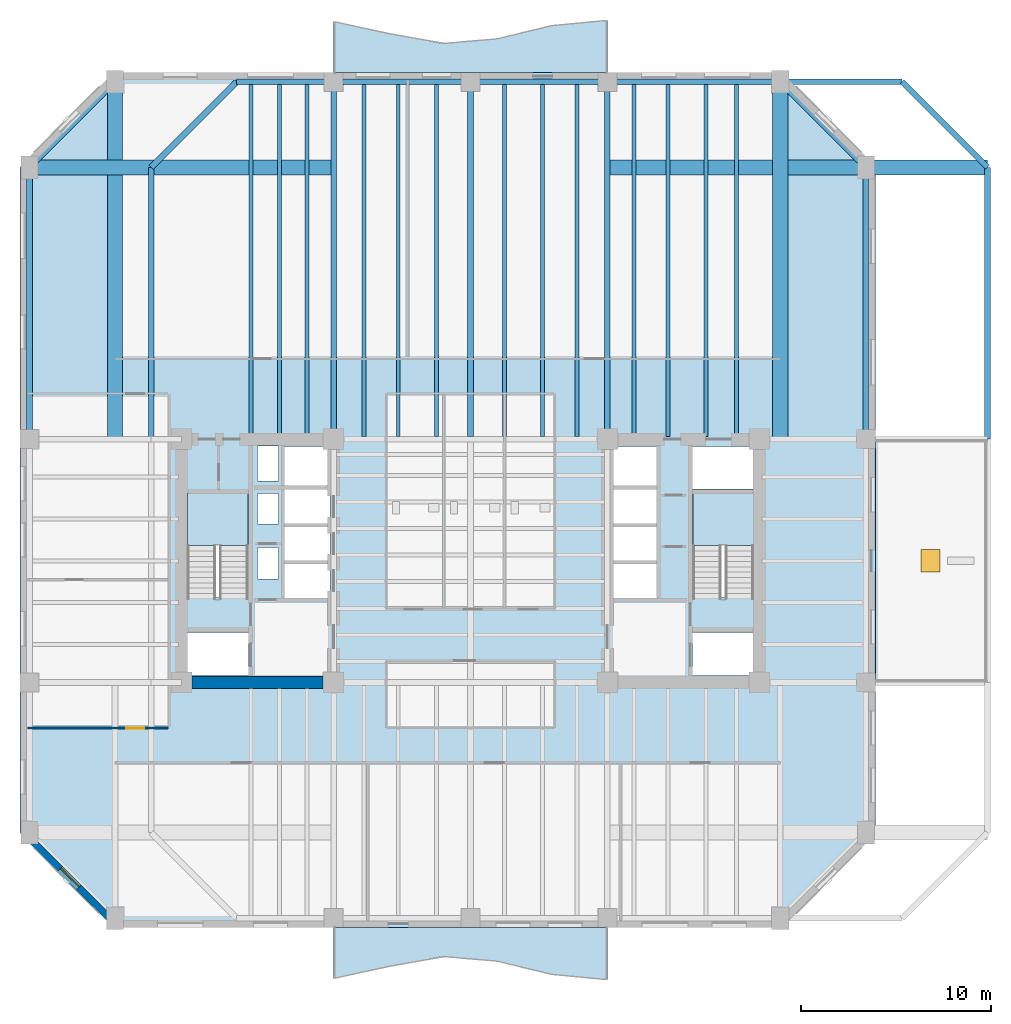
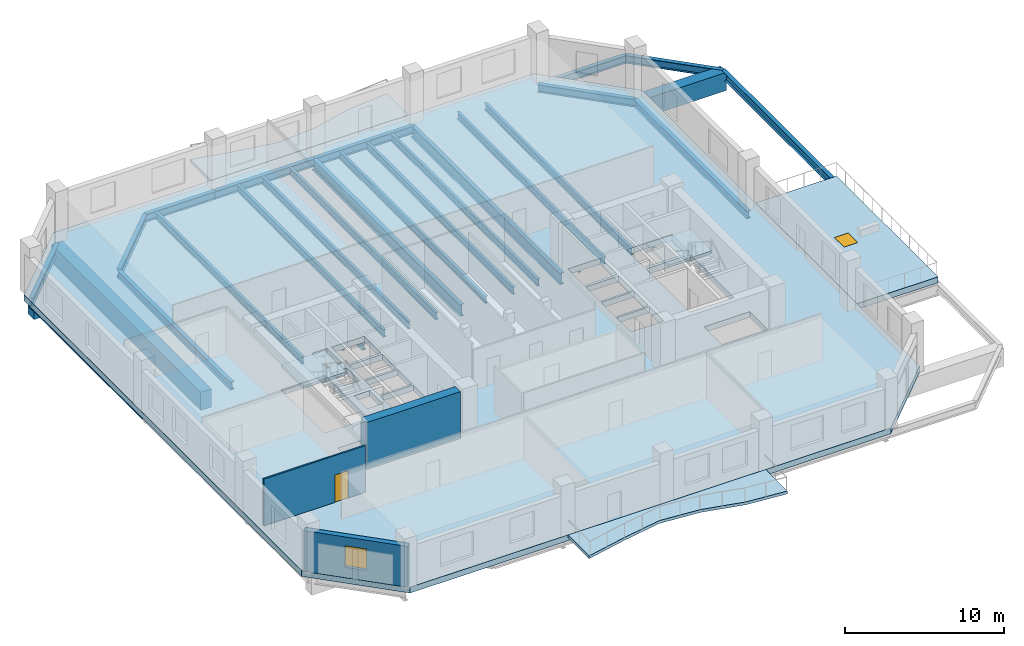
# One storey, part 2 of 11: 32 beams, 6 slabs, 3 walls, 2 doors, 1 window, 3 openings, 2 elements without a shape of their own.
"""IFC4 building model written with IfcOpenShell, lengths in metres."""

from ifc_helpers import new_model, si_unit, direction, frame, frame_2d, origin, origin_2d, place, context, subcontext, project, spatial, polyline, rectangle, i_section, outline, extrude, material, layer, layer_set, material_profile, profile_set, type_object, element, fill, aggregate, save


model = new_model("IFC4")

# Units and contexts
model_context = context("Model", 3, precision=1e-05, world=origin(), true_north=direction((0.0, 1.0)))
body_context = subcontext(model_context, "Body", "Model", "MODEL_VIEW")
ifc_project = project(units=[si_unit("LENGTHUNIT", "METRE"), si_unit("AREAUNIT", "SQUARE_METRE"), si_unit("VOLUMEUNIT", "CUBIC_METRE"), si_unit("PLANEANGLEUNIT", "RADIAN"), si_unit("MASSUNIT", "GRAM", prefix="KILO")], contexts=[model_context])

# Site, building, storey
site_placement = place(None, origin())
site = spatial("IfcSite", under=ifc_project, at=site_placement, CompositionType="ELEMENT")
building_placement = place(site_placement, origin())
building = spatial("IfcBuilding", under=site, at=building_placement, Name="Kranthara Brick Stack", CompositionType="ELEMENT")
storey_placement = place(building_placement, frame((0.0, 0.0, 94.5)))
storey = spatial("IfcBuildingStorey", under=building, at=storey_placement, Name="L23", CompositionType="ELEMENT", Elevation=94.5)

# Beams
ifc_material_1 = material(Name="Steel S355", Category="steel")
ifc_material_profile_1 = material_profile(ifc_material_1, i_section(OverallWidth=0.2099609375, OverallDepth=0.550048828125, WebThickness=0.010986328125, FlangeThickness=0.01708984375, at=origin_2d()), Name="IPE 550")
ifc_profile_set_1 = profile_set([ifc_material_profile_1], Name="Steel S355")
beam_type_1 = type_object("IfcBeamType", Name="BM-JST-IPE550", PredefinedType="JOIST", material=ifc_profile_set_1)
for number, where, z_axis, x_axis, name in (
    (1, (16.449951171875, 33.75, -0.72509765625), (0.0, 1.0, 0.0), (-1.0, 0.0, 0.0), "L23 North Wing Floor Joist 073"),
    (2, (17.949951171875, 33.75, -0.72509765625), (0.0, 1.0, 0.0), (-1.0, 0.0, 0.0), "L23 North Wing Floor Joist 075"),
    (3, (19.39990234375, 33.75, -0.72509765625), (0.0, 1.0, 0.0), (-1.0, 0.0, 0.0), "L23 North Wing Floor Joist 077"),
    (4, (22.39990234375, 33.75, -0.72509765625), (0.0, 1.0, 0.0), (-1.0, 0.0, 0.0), "L23 North Wing Floor Joist 079"),
    (5, (24.199951171875, 33.75, -0.72509765625), (0.0, 1.0, 0.0), (-1.0, 0.0, 0.0), "L23 North Wing Floor Joist 081"),
    (6, (26.199951171875, 33.75, -0.72509765625), (0.0, 1.0, 0.0), (-1.0, 0.0, 0.0), "L23 North Wing Floor Joist 083"),
    (7, (29.800048828125, 33.75, -0.72509765625), (0.0, 1.0, 0.0), (-1.0, 0.0, 0.0), "L23 North Wing Floor Joist 085"),
    (8, (31.800048828125, 33.75, -0.72509765625), (0.0, 1.0, 0.0), (-1.0, 0.0, 0.0), "L23 North Wing Floor Joist 087"),
    (9, (33.60009765625, 33.75, -0.72509765625), (0.0, 1.0, 0.0), (-1.0, 0.0, 0.0), "L23 North Wing Floor Joist 089"),
    (10, (36.60009765625, 33.75, -0.72509765625), (0.0, 1.0, 0.0), (-1.0, 0.0, 0.0), "L23 North Wing Floor Joist 091"),
    (11, (38.39990234375, 33.75, -0.72509765625), (0.0, 1.0, 0.0), (-1.0, 0.0, 0.0), "L23 North Wing Floor Joist 093"),
    (12, (40.39990234375, 33.75, -0.72509765625), (0.0, 1.0, 0.0), (-1.0, 0.0, 0.0), "L23 North Wing Floor Joist 095"),
    (13, (42.0, 33.75, -0.72509765625), (0.0, 1.0, 0.0), (-1.0, 0.0, 0.0), "L23 North Wing Floor Joist 097"),
):
    element("IfcBeam", number, at=place(storey_placement, frame(where, z_axis=z_axis, x_axis=x_axis)), inside=storey, type_object=beam_type_1, Name=name, PredefinedType="JOIST", context=body_context, shape_type="SweptSolid", body=[
        extrude(i_section(OverallWidth=0.2099609375, OverallDepth=0.550048828125, WebThickness=0.010986328125, FlangeThickness=0.01708984375, at=origin_2d()), origin(), (0.0, 0.0, 1.0), 18.5),
    ])
ifc_material_2 = material(Name="Steel S355", Category="steel")
ifc_material_profile_2 = material_profile(ifc_material_2, i_section(OverallWidth=0.300048828125, OverallDepth=0.60009765625, WebThickness=0.015380859375, FlangeThickness=0.030029296875, at=origin_2d()), Name="HEB 600")
ifc_profile_set_2 = profile_set([ifc_material_profile_2], Name="Steel S355")
beam_type_2 = type_object("IfcBeamType", Name="BM-STL-HEB600", PredefinedType="BEAM", material=ifc_profile_set_2)
beam_1_placement = place(storey_placement, frame((15.699951171875, 52.39990234375, -0.75), z_axis=(1.0, 0.0, 0.0), x_axis=(0.0, 1.0, 0.0)))
element("IfcBeam", 14, at=beam_1_placement, inside=storey, type_object=beam_type_2, Name="L23 Perimeter Spandrel Beam 009", PredefinedType="BEAM", context=body_context, shape_type="SweptSolid", body=[
    extrude(i_section(OverallWidth=0.300048828125, OverallDepth=0.60009765625, WebThickness=0.015380859375, FlangeThickness=0.030029296875, at=origin_2d()), origin(), (0.0, 0.0, 1.0), 5.10009765625),
])
for number, where, z_axis, x_axis, name in (
    (15, (20.800048828125, 52.39990234375, -0.75), (1.0, 0.0, 0.0), (0.0, 1.0, 0.0), "L23 Perimeter Spandrel Beam 010"),
    (16, (28.0, 52.39990234375, -0.75), (1.0, 0.0, 0.0), (0.0, 1.0, 0.0), "L23 Perimeter Spandrel Beam 011"),
):
    element("IfcBeam", number, at=place(storey_placement, frame(where, z_axis=z_axis, x_axis=x_axis)), inside=storey, type_object=beam_type_2, Name=name, PredefinedType="BEAM", context=body_context, shape_type="SweptSolid", body=[
        extrude(i_section(OverallWidth=0.300048828125, OverallDepth=0.60009765625, WebThickness=0.015380859375, FlangeThickness=0.030029296875, at=origin_2d()), origin(), (0.0, 0.0, 1.0), 7.199951171875),
    ])
beam_2_placement = place(storey_placement, frame((35.199951171875, 52.39990234375, -0.75), z_axis=(1.0, 0.0, 0.0), x_axis=(0.0, 1.0, 0.0)))
element("IfcBeam", 17, at=beam_2_placement, inside=storey, type_object=beam_type_2, Name="L23 Perimeter Spandrel Beam 012", PredefinedType="BEAM", context=body_context, shape_type="SweptSolid", body=[
    extrude(i_section(OverallWidth=0.300048828125, OverallDepth=0.60009765625, WebThickness=0.015380859375, FlangeThickness=0.030029296875, at=origin_2d()), origin(), (0.0, 0.0, 1.0), 15.5),
])
for number, where, z_axis, x_axis, name in (
    (18, (11.199951171875, 33.60009765625, -0.75), (0.0, 1.0, 0.0), (-1.0, 0.0, 0.0), "L23 Perimeter Spandrel Beam 015"),
    (19, (55.199951171875, 33.60009765625, -0.75), (0.0, 1.0, 0.0), (-1.0, 0.0, 0.0), "L23 Perimeter Spandrel Beam 018"),
):
    element("IfcBeam", number, at=place(storey_placement, frame(where, z_axis=z_axis, x_axis=x_axis)), inside=storey, type_object=beam_type_2, Name=name, PredefinedType="BEAM", context=body_context, shape_type="SweptSolid", body=[
        extrude(i_section(OverallWidth=0.300048828125, OverallDepth=0.60009765625, WebThickness=0.015380859375, FlangeThickness=0.030029296875, at=origin_2d()), origin(), (0.0, 0.0, 1.0), 14.2998046875),
    ])
for number, where, z_axis, x_axis, name in (
    (20, (15.699951171875, 52.39990234375, -0.75), (-0.707106781187, -0.707106781187, 0.0), (0.707106781187, -0.707106781187, 0.0), "L23 Chamfer Corner Spandrel 021"),
    (21, (50.699951171875, 52.39990234375, -0.75), (0.707106781187, -0.707106781187, 0.0), (0.707106781187, 0.707106781187, 0.0), "L23 Chamfer Corner Spandrel 022"),
):
    element("IfcBeam", number, at=place(storey_placement, frame(where, z_axis=z_axis, x_axis=x_axis)), inside=storey, type_object=beam_type_2, Name=name, PredefinedType="BEAM", context=body_context, shape_type="SweptSolid", body=[
        extrude(i_section(OverallWidth=0.300048828125, OverallDepth=0.60009765625, WebThickness=0.015380859375, FlangeThickness=0.030029296875, at=origin_2d()), origin(), (0.0, 0.0, 1.0), 6.364013671875),
    ])
for number, where, z_axis, x_axis, name in (
    (22, (4.800048828125, 33.60009765625, -0.75), (0.0, 1.0, 0.0), (-1.0, 0.0, 0.0), "L23 Perimeter Spandrel Beam 025"),
    (23, (48.800048828125, 33.60009765625, -0.75), (0.0, 1.0, 0.0), (-1.0, 0.0, 0.0), "L23 Perimeter Spandrel Beam 028"),
):
    element("IfcBeam", number, at=place(storey_placement, frame(where, z_axis=z_axis, x_axis=x_axis)), inside=storey, type_object=beam_type_2, Name=name, PredefinedType="BEAM", context=body_context, shape_type="SweptSolid", body=[
        extrude(i_section(OverallWidth=0.300048828125, OverallDepth=0.60009765625, WebThickness=0.015380859375, FlangeThickness=0.030029296875, at=origin_2d()), origin(), (0.0, 0.0, 1.0), 14.2998046875),
    ])
for number, where, z_axis, x_axis, name in (
    (24, (9.300048828125, 52.39990234375, -0.75), (-0.707106781187, -0.707106781187, 0.0), (0.707106781187, -0.707106781187, 0.0), "L23 Chamfer Corner Spandrel 031"),
    (25, (44.300048828125, 52.39990234375, -0.75), (0.707106781187, -0.707106781187, 0.0), (0.707106781187, 0.707106781187, 0.0), "L23 Chamfer Corner Spandrel 032"),
):
    element("IfcBeam", number, at=place(storey_placement, frame(where, z_axis=z_axis, x_axis=x_axis)), inside=storey, type_object=beam_type_2, Name=name, PredefinedType="BEAM", context=body_context, shape_type="SweptSolid", body=[
        extrude(i_section(OverallWidth=0.300048828125, OverallDepth=0.60009765625, WebThickness=0.015380859375, FlangeThickness=0.030029296875, at=origin_2d()), origin(), (0.0, 0.0, 1.0), 6.364013671875),
    ])
ifc_material_3 = material(Name="Steel S460", Category="steel")
ifc_material_profile_3 = material_profile(ifc_material_3, i_section(OverallWidth=0.300048828125, OverallDepth=0.89990234375, WebThickness=0.0185546875, FlangeThickness=0.034912109375, at=origin_2d()), Name="HEB 900")
ifc_profile_set_3 = profile_set([ifc_material_profile_3], Name="Steel S460")
beam_type_3 = type_object("IfcBeamType", Name="BM-TR-HEB900", PredefinedType="BEAM", material=ifc_profile_set_3)
beam_3_placement = place(storey_placement, frame((20.800048828125, 33.60009765625, -0.89990234375), z_axis=(0.0, 1.0, 0.0), x_axis=(-1.0, 0.0, 0.0)))
element("IfcBeam", 26, at=beam_3_placement, inside=storey, type_object=beam_type_3, Name="L23 Primary Grid Girder 034", PredefinedType="BEAM", context=body_context, shape_type="SweptSolid", body=[
    extrude(i_section(OverallWidth=0.300048828125, OverallDepth=0.89990234375, WebThickness=0.0185546875, FlangeThickness=0.034912109375, at=origin_2d()), origin(), (0.0, 0.0, 1.0), 18.7998046875),
])
beam_4_placement = place(storey_placement, frame((28.0, 33.75, -0.89990234375), z_axis=(0.0, 1.0, 0.0), x_axis=(-1.0, 0.0, 0.0)))
element("IfcBeam", 27, at=beam_4_placement, inside=storey, type_object=beam_type_3, Name="L23 Primary Grid Girder 037", PredefinedType="BEAM", context=body_context, shape_type="SweptSolid", body=[
    extrude(i_section(OverallWidth=0.300048828125, OverallDepth=0.89990234375, WebThickness=0.0185546875, FlangeThickness=0.034912109375, at=origin_2d()), origin(), (0.0, 0.0, 1.0), 18.64990234375),
])
beam_5_placement = place(storey_placement, frame((35.199951171875, 33.60009765625, -0.89990234375), z_axis=(0.0, 1.0, 0.0), x_axis=(-1.0, 0.0, 0.0)))
element("IfcBeam", 28, at=beam_5_placement, inside=storey, type_object=beam_type_3, Name="L23 Primary Grid Girder 039", PredefinedType="BEAM", context=body_context, shape_type="SweptSolid", body=[
    extrude(i_section(OverallWidth=0.300048828125, OverallDepth=0.89990234375, WebThickness=0.0185546875, FlangeThickness=0.034912109375, at=origin_2d()), origin(), (0.0, 0.0, 1.0), 18.7998046875),
])
ifc_material_4 = material(Name="Post-tensioned concrete C50/60", Category="concrete")
ifc_material_profile_4 = material_profile(ifc_material_4, rectangle(XDim=0.800048828125, YDim=1.39990234375, at=origin_2d()), Name="PT 800x1400")
ifc_profile_set_4 = profile_set([ifc_material_profile_4], Name="Post-tensioned concrete C50/60")
beam_type_4 = type_object("IfcBeamType", Name="BM-TR-PT1400", PredefinedType="T_BEAM", material=ifc_profile_set_4)
for number, where, z_axis, x_axis, name in (
    (29, (9.300048828125, 52.39990234375, -1.14990234375), (0.0, -1.0, 0.0), (1.0, 0.0, 0.0), "L23 Transfer Tie Girder 047"),
    (30, (44.300048828125, 52.39990234375, -1.14990234375), (0.0, -1.0, 0.0), (1.0, 0.0, 0.0), "L23 Transfer Tie Girder 049"),
):
    element("IfcBeam", number, at=place(storey_placement, frame(where, z_axis=z_axis, x_axis=x_axis)), inside=storey, type_object=beam_type_4, Name=name, PredefinedType="T_BEAM", context=body_context, shape_type="SweptSolid", body=[
        extrude(rectangle(XDim=0.800048828125, YDim=1.39990234375, at=origin_2d()), origin(), (0.0, 0.0, 1.0), 18.7998046875),
    ])
beam_6_placement = place(storey_placement, frame((4.800048828125, 47.89990234375, -1.14990234375), z_axis=(1.0, 0.0, 0.0), x_axis=(0.0, 1.0, 0.0)))
element("IfcBeam", 31, at=beam_6_placement, inside=storey, type_object=beam_type_4, Name="L23 Transfer Tie Girder 052", PredefinedType="T_BEAM", context=body_context, shape_type="SweptSolid", body=[
    extrude(rectangle(XDim=0.800048828125, YDim=1.39990234375, at=origin_2d()), origin(), (0.0, 0.0, 1.0), 16.0),
])
beam_7_placement = place(storey_placement, frame((55.199951171875, 47.89990234375, -1.14990234375), z_axis=(-1.0, 0.0, 0.0), x_axis=(0.0, -1.0, 0.0)))
element("IfcBeam", 32, at=beam_7_placement, inside=storey, type_object=beam_type_4, Name="L23 Transfer Tie Girder 053", PredefinedType="T_BEAM", context=body_context, shape_type="SweptSolid", body=[
    extrude(rectangle(XDim=0.800048828125, YDim=1.39990234375, at=origin_2d()), origin(), (0.0, 0.0, 1.0), 20.0),
])

# Slabs
ifc_material_5 = material(Name="Concrete C45/55", Category="concrete")
ifc_layer_1 = layer(ifc_material_5, 0.219970703125)
ifc_layer_set_1 = layer_set([ifc_layer_1], Name="Concrete C45/55")
slab_type_1 = type_object("IfcSlabType", Name="SLB-BALC-220", PredefinedType="FLOOR", material=ifc_layer_set_1)
slab_1_placement = place(storey_placement, frame((0.0, 0.0, -0.219970703125)))
element("IfcSlab", 33, at=slab_1_placement, inside=storey, type_object=slab_type_1, Name="L23 South Rippling Balcony Slab", PredefinedType="FLOOR", context=body_context, shape_type="SweptSolid", body=[
    extrude(outline(polyline([(20.800048828125, 7.89990234375), (35.199951171875, 7.89990234375), (35.199951171875, 5.16162109375), (32.320068359375, 5.43603515625), (29.43994140625, 6.13671875), (26.56005859375, 6.382568359375), (23.679931640625, 5.8642578125), (20.800048828125, 5.233642578125), (20.800048828125, 7.89990234375)])), origin(), (0.0, 0.0, 1.0), 0.219970703125),
])
slab_2_placement = place(storey_placement, frame((0.0, 0.0, -0.219970703125)))
element("IfcSlab", 34, at=slab_2_placement, inside=storey, type_object=slab_type_1, Name="L23 North Rippling Balcony Slab", PredefinedType="FLOOR", context=body_context, shape_type="SweptSolid", body=[
    extrude(outline(polyline([(35.199951171875, 52.89990234375), (20.800048828125, 52.89990234375), (20.800048828125, 55.566162109375), (23.679931640625, 54.935791015625), (26.56005859375, 54.41748046875), (29.43994140625, 54.663330078125), (32.320068359375, 55.364013671875), (35.199951171875, 55.638427734375), (35.199951171875, 52.89990234375)])), origin(), (0.0, 0.0, 1.0), 0.219970703125),
])

# Stair, slab
ifc_material_6 = material(Name="Concrete C45/55", Category="concrete")
stair_type = type_object("IfcStairType", Name="ST-CORE-22R", PredefinedType="HALF_TURN_STAIR", material=ifc_material_6)
stair_1_placement = place(storey_placement, origin())
stair_1 = element("IfcStair", 35, at=stair_1_placement, inside=storey, type_object=stair_type, Name="L23 West Core Protected Exit Stair ST01", PredefinedType="HALF_TURN_STAIR")
ifc_material_7 = material(Name="Concrete C45/55", Category="concrete")
ifc_layer_2 = layer(ifc_material_7, 0.199951171875)
ifc_layer_set_2 = layer_set([ifc_layer_2], Name="Concrete C45/55")
slab_type_2 = type_object("IfcSlabType", Name="SLB-LANDING-200", PredefinedType="LANDING", material=ifc_layer_set_2)
slab_3_placement = place(storey_placement, frame((0.0, 0.0, 1.75)))
slab_3 = element("IfcSlab", 36, at=slab_3_placement, type_object=slab_type_2, Name="ST01 landing 1", PredefinedType="LANDING", context=body_context, shape_type="SweptSolid", body=[
    extrude(outline(polyline([(16.300048828125, 28.0), (16.300048828125, 30.75), (13.10009765625, 30.75), (13.10009765625, 28.0), (16.300048828125, 28.0)])), origin(), (0.0, 0.0, 1.0), 0.199951171875),
])
aggregate(stair_1, [slab_3])

stair_2_placement = place(storey_placement, origin())
stair_2 = element("IfcStair", 37, at=stair_2_placement, inside=storey, type_object=stair_type, Name="L23 East Core Protected Exit Stair ST02", PredefinedType="HALF_TURN_STAIR")
slab_4_placement = place(storey_placement, frame((0.0, 0.0, 1.75)))
slab_4 = element("IfcSlab", 38, at=slab_4_placement, type_object=slab_type_2, Name="ST02 landing 1", PredefinedType="LANDING", context=body_context, shape_type="SweptSolid", body=[
    extrude(outline(polyline([(42.89990234375, 28.0), (42.89990234375, 30.75), (39.699951171875, 30.75), (39.699951171875, 28.0), (42.89990234375, 28.0)])), origin(), (0.0, 0.0, 1.0), 0.199951171875),
])
aggregate(stair_2, [slab_4])

# Slab, opening, door
ifc_material_8 = material(Name="Concrete C45/55", Category="concrete")
ifc_layer_3 = layer(ifc_material_8, 0.449951171875)
ifc_layer_set_3 = layer_set([ifc_layer_3], Name="Concrete C45/55")
slab_type_3 = type_object("IfcSlabType", Name="SLB-TERR-450", PredefinedType="ROOF", material=ifc_layer_set_3)
slab_5_placement = place(storey_placement, frame((0.0, 0.0, -0.449951171875)))
slab_5 = element("IfcSlab", 39, at=slab_5_placement, inside=storey, type_object=slab_type_3, Name="L23 East Planted Sky Garden", PredefinedType="ROOF", context=body_context, shape_type="SweptSolid", body=[
    extrude(outline(polyline([(49.300048828125, 20.800048828125), (55.199951171875, 20.800048828125), (55.199951171875, 33.60009765625), (49.300048828125, 33.60009765625), (49.300048828125, 20.800048828125)]), holes=[polyline([(51.699951171875, 26.60009765625), (52.699951171875, 26.60009765625), (52.699951171875, 27.800048828125), (51.699951171875, 27.800048828125), (51.699951171875, 26.60009765625)])]), origin(), (0.0, 0.0, 1.0), 0.449951171875),
])
opening_1_placement = place(slab_5_placement, frame((52.199951171875, 27.199951171875, 0.0)))
opening_1 = element("IfcOpeningElement", 40, at=opening_1_placement, cuts=slab_5, Name="Opening RH01", PredefinedType="OPENING", context=body_context, shape_type="SweptSolid", body=[
    extrude(rectangle(XDim=1.0, YDim=1.199951171875, at=origin_2d()), origin(), (0.0, 0.0, 1.0), 0.449951171875),
])
ifc_material_9 = material(Name="Powder-coated galvanized steel sheet", Category="steel")
door_type_1 = type_object("IfcDoorType", Name="DR-HATCH-1000", OperationType="SINGLE_SWING_LEFT", PredefinedType="TRAPDOOR", material=ifc_material_9)
door_1_placement = place(opening_1_placement, frame((0.0, 0.0, 0.39990234375)))
door_1 = element("IfcDoor", 41, at=door_1_placement, inside=storey, type_object=door_type_1, Name="L23 Terrace Roof Maintenance Access Hatch", OperationType="SINGLE_SWING_LEFT", OverallHeight=1.199951171875, OverallWidth=1.0, PredefinedType="TRAPDOOR", context=body_context, shape_type="SweptSolid", body=[
    extrude(rectangle(XDim=1.0, YDim=1.199951171875, at=origin_2d()), origin(), (0.0, 0.0, 1.0), 0.050048828125),
])
fill(opening_1, door_1)

# Slab
ifc_material_10 = material(Name="Post-tensioned concrete C50/60", Category="concrete")
ifc_layer_4 = layer(ifc_material_10, 0.449951171875)
ifc_layer_set_4 = layer_set([ifc_layer_4], Name="Post-tensioned concrete C50/60")
slab_type_4 = type_object("IfcSlabType", Name="SLB-TRANS-450", PredefinedType="FLOOR", material=ifc_layer_set_4)
slab_6_placement = place(storey_placement, frame((0.0, 0.0, -0.449951171875)))
element("IfcSlab", 42, at=slab_6_placement, inside=storey, type_object=slab_type_4, Name="L23 Structural Floor Plate", PredefinedType="FLOOR", context=body_context, shape_type="SweptSolid", body=[
    extrude(outline(polyline([(9.300048828125, 7.89990234375), (44.300048828125, 7.89990234375), (49.300048828125, 12.89990234375), (49.300048828125, 47.89990234375), (44.300048828125, 52.89990234375), (9.300048828125, 52.89990234375), (4.300048828125, 47.89990234375), (4.300048828125, 12.89990234375), (9.300048828125, 7.89990234375)]), holes=[polyline([(13.10009765625, 25.280029296875), (16.300048828125, 25.280029296875), (16.300048828125, 30.75), (13.10009765625, 30.75), (13.10009765625, 25.280029296875)]), polyline([(39.699951171875, 25.280029296875), (42.89990234375, 25.280029296875), (42.89990234375, 30.75), (39.699951171875, 30.75), (39.699951171875, 25.280029296875)]), polyline([(13.0, 21.179931640625), (16.320068359375, 21.179931640625), (16.320068359375, 23.419921875), (13.0, 23.419921875), (13.0, 21.179931640625)]), polyline([(39.679931640625, 21.179931640625), (43.0, 21.179931640625), (43.0, 23.419921875), (39.679931640625, 23.419921875), (39.679931640625, 21.179931640625)]), polyline([(39.679931640625, 30.97998046875), (43.0, 30.97998046875), (43.0, 33.219970703125), (39.679931640625, 33.219970703125), (39.679931640625, 30.97998046875)]), polyline([(18.199951171875, 25.25), (20.60009765625, 25.25), (20.60009765625, 27.050048828125), (18.199951171875, 27.050048828125), (18.199951171875, 25.25)]), polyline([(18.199951171875, 27.199951171875), (20.60009765625, 27.199951171875), (20.60009765625, 29.0), (18.199951171875, 29.0), (18.199951171875, 27.199951171875)]), polyline([(18.199951171875, 29.14990234375), (20.60009765625, 29.14990234375), (20.60009765625, 30.949951171875), (18.199951171875, 30.949951171875), (18.199951171875, 29.14990234375)]), polyline([(35.39990234375, 25.25), (37.800048828125, 25.25), (37.800048828125, 27.050048828125), (35.39990234375, 27.050048828125), (35.39990234375, 25.25)]), polyline([(35.39990234375, 27.199951171875), (37.800048828125, 27.199951171875), (37.800048828125, 29.0), (35.39990234375, 29.0), (35.39990234375, 27.199951171875)]), polyline([(35.39990234375, 29.14990234375), (37.800048828125, 29.14990234375), (37.800048828125, 30.949951171875), (35.39990234375, 30.949951171875), (35.39990234375, 29.14990234375)]), polyline([(18.199951171875, 31.14990234375), (20.60009765625, 31.14990234375), (20.60009765625, 33.219970703125), (18.199951171875, 33.219970703125), (18.199951171875, 31.14990234375)]), polyline([(35.39990234375, 31.14990234375), (37.800048828125, 31.14990234375), (37.800048828125, 33.219970703125), (35.39990234375, 33.219970703125), (35.39990234375, 31.14990234375)]), polyline([(16.800048828125, 26.25), (17.89990234375, 26.25), (17.89990234375, 27.89990234375), (16.800048828125, 27.89990234375), (16.800048828125, 26.25)]), polyline([(16.800048828125, 29.14990234375), (17.89990234375, 29.14990234375), (17.89990234375, 30.75), (16.800048828125, 30.75), (16.800048828125, 29.14990234375)]), polyline([(16.800048828125, 31.39990234375), (17.89990234375, 31.39990234375), (17.89990234375, 33.25), (16.800048828125, 33.25), (16.800048828125, 31.39990234375)])]), origin(), (0.0, 0.0, 1.0), 0.449951171875),
])

# Wall, opening, window
ifc_material_11 = material(Name="Kiln-fired clay brick masonry M15", Category="masonry")
ifc_layer_5 = layer(ifc_material_11, 0.3798828125)
ifc_layer_set_5 = layer_set([ifc_layer_5], Name="Kiln-fired clay brick masonry M15")
wall_type_1 = type_object("IfcWallType", Name="WL-BRK-PIER-380", PredefinedType="STANDARD", material=ifc_layer_set_5)
wall_1_placement = place(storey_placement, frame((9.300048828125, 8.110107421875, 0.0), z_axis=(0.0, 0.0, 1.0), x_axis=(-0.707124801467, 0.707088760447, 0.0)))
wall_1 = element("IfcWall", 43, at=wall_1_placement, inside=storey, type_object=wall_type_1, Name="L23 Exterior Brick Facade Wall SW 1", PredefinedType="STANDARD", context=body_context, shape_type="SweptSolid", body=[
    extrude(rectangle(XDim=6.77392578125, YDim=0.3798828125, at=frame_2d((3.386962890625, 0.0))), origin(), (0.0, 0.0, 1.0), 3.135009765625),
])
opening_2_placement = place(wall_1_placement, frame((2.68701171875, 0.0, 0.800048828125)))
opening_2 = element("IfcOpeningElement", 44, at=opening_2_placement, cuts=wall_1, Name="Opening WN10", PredefinedType="OPENING", context=body_context, shape_type="SweptSolid", body=[
    extrude(rectangle(XDim=1.39990234375, YDim=1.64990234375, at=frame_2d((0.699951171875, 0.824951171875))), frame((0.0, 0.199951171875, 0.0), z_axis=(0.0, -1.0, 0.0), x_axis=(1.0, 0.0, 0.0)), (0.0, 0.0, 1.0), 0.39990234375),
])
ifc_material_12 = material(Name="Double-glazed low-E solar control glass", Category="glass")
window_type = type_object("IfcWindowType", Name="WN-CHM-1400x1750", PartitioningType="SINGLE_PANEL", PredefinedType="WINDOW", material=ifc_material_12)
window_placement = place(opening_2_placement, origin())
window = element("IfcWindow", 45, at=window_placement, inside=storey, type_object=window_type, Name="L23 SW Chamfer Corner Window", OverallHeight=1.64990234375, OverallWidth=1.39990234375, PartitioningType="SINGLE_PANEL", PredefinedType="WINDOW", context=body_context, shape_type="SweptSolid", body=[
    extrude(rectangle(XDim=1.39990234375, YDim=1.64990234375, at=frame_2d((0.699951171875, 0.824951171875))), frame((0.0, -0.010009765625, 0.0), z_axis=(0.0, -1.0, 0.0), x_axis=(1.0, 0.0, 0.0)), (0.0, 0.0, 1.0), 0.06005859375),
])
fill(opening_2, window)

# Wall
ifc_material_13 = material(Name="Concrete C60/75", Category="concrete")
ifc_layer_6 = layer(ifc_material_13, 0.64990234375)
ifc_layer_set_6 = layer_set([ifc_layer_6], Name="Concrete C60/75")
wall_type_2 = type_object("IfcWallType", Name="WL-CORE-650", PredefinedType="SHEAR", material=ifc_layer_set_6)
wall_2_placement = place(storey_placement, frame((13.35498046875, 20.800048828125, 0.0), z_axis=(0.0, 0.0, 1.0), x_axis=(1.0, 0.0, 0.0)))
element("IfcWall", 46, at=wall_2_placement, inside=storey, type_object=wall_type_2, Name="L23 West Core Shear Wall South", PredefinedType="SHEAR", context=body_context, shape_type="SweptSolid", body=[
    extrude(rectangle(XDim=6.89013671875, YDim=0.64990234375, at=frame_2d((3.445068359375, 0.0))), origin(), (0.0, 0.0, 1.0), 3.60009765625),
])

# Wall, opening, door
ifc_material_14 = material(Name="Acoustic gypsum plasterboard partition", Category="other")
ifc_layer_7 = layer(ifc_material_14, 0.1201171875)
ifc_layer_set_7 = layer_set([ifc_layer_7], Name="Acoustic gypsum plasterboard partition")
wall_type_3 = type_object("IfcWallType", Name="WL-PART-120", PredefinedType="PARTITIONING", material=ifc_layer_set_7)
wall_3_placement = place(storey_placement, frame((4.705078125, 18.39990234375, 0.0), z_axis=(0.0, 0.0, 1.0), x_axis=(1.0, 0.0, 0.0)))
wall_3 = element("IfcWall", 47, at=wall_3_placement, inside=storey, type_object=wall_type_3, Name="L23 Interior Partition 021", PredefinedType="PARTITIONING", context=body_context, shape_type="SweptSolid", body=[
    extrude(rectangle(XDim=7.3798828125, YDim=0.1201171875, at=frame_2d((3.68994140625, 0.0))), origin(), (0.0, 0.0, 1.0), 3.60009765625),
])
opening_3_placement = place(wall_3_placement, frame((5.179931640625, 0.0, 0.0)))
opening_3 = element("IfcOpeningElement", 48, at=opening_3_placement, cuts=wall_3, Name="Opening D14", PredefinedType="OPENING", context=body_context, shape_type="SweptSolid", body=[
    extrude(rectangle(XDim=0.949951171875, YDim=2.10009765625, at=frame_2d((0.47509765625, 1.050048828125))), frame((0.0, 0.070068359375, 0.0), z_axis=(0.0, -1.0, 0.0), x_axis=(1.0, 0.0, 0.0)), (0.0, 0.0, 1.0), 0.14013671875),
])
ifc_material_15 = material(Name="Solid-core hardwood timber leaf in steel frame", Category="steel")
door_type_2 = type_object("IfcDoorType", Name="DR-INT-950", OperationType="NOTDEFINED", PredefinedType="DOOR", material=ifc_material_15)
door_2_placement = place(opening_3_placement, origin())
door_2 = element("IfcDoor", 49, at=door_2_placement, inside=storey, type_object=door_type_2, Name="L23 West South Office 15", OperationType="SINGLE_SWING_LEFT", OverallHeight=2.10009765625, OverallWidth=0.949951171875, PredefinedType="DOOR", context=body_context, shape_type="SweptSolid", body=[
    extrude(rectangle(XDim=0.949951171875, YDim=2.10009765625, at=frame_2d((0.47509765625, 1.050048828125))), frame((0.0, 0.02490234375, 0.0), z_axis=(0.0, -1.0, 0.0), x_axis=(1.0, 0.0, 0.0)), (0.0, 0.0, 1.0), 0.050048828125),
])
fill(opening_3, door_2)

save(model, "model.ifc")
